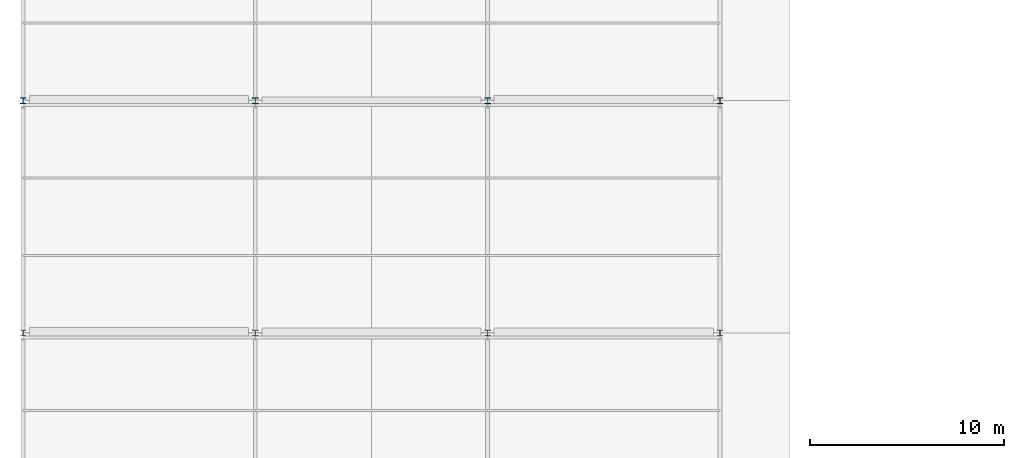
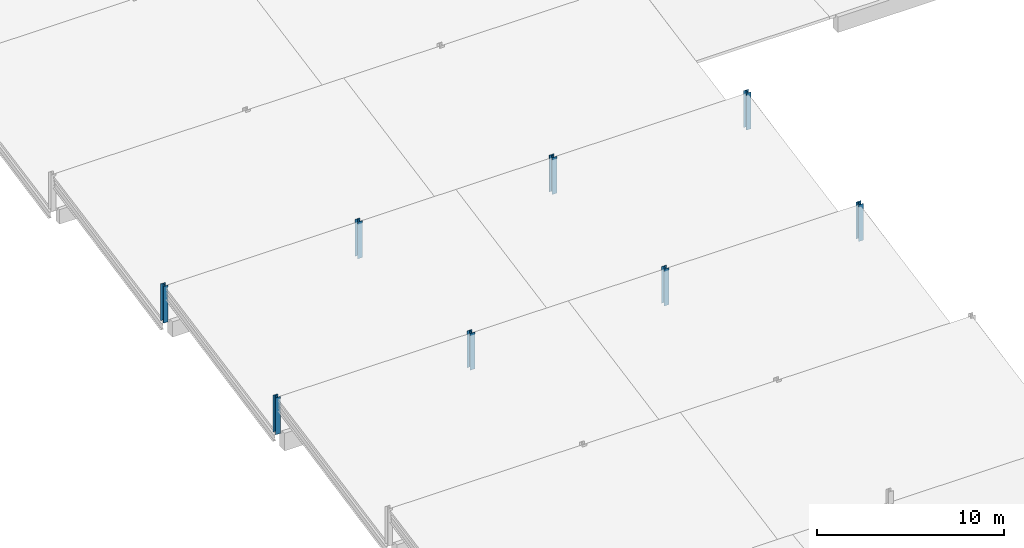
# One storey, part 2 of 23: 8 columns.
"""IFC4 building model written with IfcOpenShell, lengths in metres."""

import ifcopenshell
import ifcopenshell.guid

model = None  # the IFC model being written
_history = None  # IfcOwnerHistory: only IFC2X3 demands one
_inside = {}  # id of a spatial element -> (the spatial element, [elements in it])
_under = {}  # id of a project, library or spatial element -> (it, [spatial elements below it])
_declared = {}  # id of a project -> (the project, [libraries it declares])
_typed = {}  # id of a type object -> (the type object, [elements of that type])
_made_of = {}  # id of a material, layer set ... -> (it, [elements and type objects made of it])


def new_model(schema):
    """Start an empty IFC model of exactly this schema.

    Asked for "IFC4X3", IfcOpenShell would pick the latest addendum, in which some entities
    have other attributes; the version numbers below select the first issue.
    IFC2X3 requires an IfcOwnerHistory on every rooted entity: one is made here for all.
    """
    global model, _history
    if schema == "IFC4X3":
        model = ifcopenshell.file(schema_version=(4, 3, 0, 0))
    else:
        model = ifcopenshell.file(schema=schema)
    _inside.clear()
    _under.clear()
    _declared.clear()
    _typed.clear()
    _made_of.clear()
    _history = None
    if model.schema == "IFC2X3":
        org = make("IfcOrganization", Name="unknown")
        user = make(
            "IfcPersonAndOrganization",
            ThePerson=make("IfcPerson", FamilyName="unknown"),
            TheOrganization=org,
        )
        app = make(
            "IfcApplication",
            ApplicationDeveloper=org,
            Version="unknown",
            ApplicationFullName="unknown",
            ApplicationIdentifier="unknown",
        )
        _history = make(
            "IfcOwnerHistory",
            OwningUser=user,
            OwningApplication=app,
            ChangeAction="ADDED",
            CreationDate=0,
        )
    return model


def make(cls, **values):
    """One entity of the class cls with the attributes given. An attribute that is None is left unset."""
    return model.create_entity(
        cls, **{name: value for name, value in values.items() if value is not None}
    )


def rooted(cls, **values):
    """An entity with a GlobalId (a new one), such as an element, a storey or a relation."""
    return make(cls, GlobalId=ifcopenshell.guid.new(), OwnerHistory=_history, **values)


def si_unit(unit_type, name, prefix=None):
    """IfcSIUnit, for example si_unit("LENGTHUNIT", "METRE", prefix="MILLI")."""
    return make("IfcSIUnit", UnitType=unit_type, Prefix=prefix, Name=name)


def assignment(units):
    """IfcUnitAssignment: the units of a project."""
    return None if units is None else make("IfcUnitAssignment", Units=units)


def point(xyz):
    """IfcCartesianPoint."""
    return None if xyz is None else make("IfcCartesianPoint", Coordinates=xyz)


def direction(xyz):
    """IfcDirection."""
    return None if xyz is None else make("IfcDirection", DirectionRatios=xyz)


def frame(location, z_axis=None, x_axis=None):
    """IfcAxis2Placement3D, a coordinate frame: its origin and axes. An axis left out is left unset."""
    return make(
        "IfcAxis2Placement3D",
        Location=point(location),
        Axis=direction(z_axis),
        RefDirection=direction(x_axis),
    )


def frame_2d(location, x_axis=None):
    """IfcAxis2Placement2D, a coordinate frame in the plane: its origin and x axis."""
    return make(
        "IfcAxis2Placement2D", Location=point(location), RefDirection=direction(x_axis)
    )


def origin():
    """The frame at (0, 0, 0) with its axes left unset."""
    return frame((0.0, 0.0, 0.0))


def origin_2d():
    """The frame at (0, 0) in the plane with its x axis left unset."""
    return frame_2d((0.0, 0.0))


def place(relative_to, where):
    """IfcLocalPlacement: puts the frame where relative to a parent placement (None: the world)."""
    return make(
        "IfcLocalPlacement", PlacementRelTo=relative_to, RelativePlacement=where
    )


def context(
    kind, dimensions, precision=None, world=None, true_north=None, identifier=None
):
    """IfcGeometricRepresentationContext, for example the 3D "Model" context."""
    return make(
        "IfcGeometricRepresentationContext",
        ContextIdentifier=identifier,
        ContextType=kind,
        CoordinateSpaceDimension=dimensions,
        Precision=precision,
        WorldCoordinateSystem=world,
        TrueNorth=true_north,
    )


def subcontext(parent, identifier, kind, view, scale=None):
    """IfcGeometricRepresentationSubContext, for example "Body" below "Model"."""
    return make(
        "IfcGeometricRepresentationSubContext",
        ContextIdentifier=identifier,
        ContextType=kind,
        ParentContext=parent,
        TargetScale=scale,
        TargetView=view,
    )


def project(units=None, contexts=None):
    """IfcProject with its units and contexts."""
    return rooted(
        "IfcProject",
        Name="project",
        RepresentationContexts=contexts,
        UnitsInContext=assignment(units),
    )


def spatial(cls, under=None, at=None, **own):
    """A site, building, storey or space (cls), placed at a placement, below another one or the project."""
    s = rooted(cls, ObjectPlacement=at, **own)
    if under is not None:
        _under.setdefault(under.id(), (under, []))[1].append(s)
    return s


def profile(cls, at=None, kind="AREA", **sizes):
    """A parametric profile (cls). Its sizes go by their IFC names, for example OverallWidth=200.0."""
    return make(cls, ProfileType=kind, Position=at, **sizes)


def i_section(**sizes):
    """IfcIShapeProfileDef."""
    return profile("IfcIShapeProfileDef", **sizes)


def extrude(swept, where, along, depth):
    """IfcExtrudedAreaSolid: the profile swept, set in the frame where, extruded along a direction by depth."""
    return make(
        "IfcExtrudedAreaSolid",
        SweptArea=swept,
        Position=where,
        ExtrudedDirection=direction(along),
        Depth=depth,
    )


def shape(context_of_items, identifier, shape_type, items):
    """IfcShapeRepresentation: the items that make up one representation, for example the "Body"."""
    return make(
        "IfcShapeRepresentation",
        ContextOfItems=context_of_items,
        RepresentationIdentifier=identifier,
        RepresentationType=shape_type,
        Items=items,
    )


def material(Name=None, Category=None):
    """IfcMaterial."""
    return make("IfcMaterial", Name=Name, Category=Category)


def material_profile(
    of_material, cross_section, Name=None, Category=None, Priority=None
):
    """IfcMaterialProfile: a cross section and its material."""
    return make(
        "IfcMaterialProfile",
        Name=Name,
        Material=of_material,
        Profile=cross_section,
        Priority=Priority,
        Category=Category,
    )


def profile_set(profiles, Name=None, composite=None):
    """IfcMaterialProfileSet."""
    return make(
        "IfcMaterialProfileSet",
        Name=Name,
        MaterialProfiles=profiles,
        CompositeProfile=composite,
    )


def made_of(thing, what):
    """Note that an element or type object is made of a material, layer set ...; save() writes the relation."""
    if what is not None:
        _made_of.setdefault(what.id(), (what, []))[1].append(thing)
    return thing


def type_object(cls, material=None, **own):
    """A type object (cls), such as IfcWallType, which elements share."""
    return made_of(rooted(cls, **own), material)


def element(
    cls,
    number,
    at=None,
    inside=None,
    cuts=None,
    type_object=None,
    material=None,
    context=None,
    identifier="Body",
    shape_type=None,
    held_by="IfcProductDefinitionShape",
    body=None,
    shapes=None,
    **own,
):
    """One element of the class cls, such as IfcWall. Its Tag is "e" and its number.

    at: its placement. inside: the storey or other place that contains it. cuts: it is an
    opening in that element (IfcRelVoidsElement). A single representation is given by context,
    identifier, shape_type and body (its items); several are given by shapes. held_by: the class
    of the entity that holds the representations. save() writes the other relations.
    """
    e = rooted(cls, Tag="e%d" % number, ObjectPlacement=at, **own)
    if body is not None:
        shapes = [shape(context, identifier, shape_type, body)]
    if shapes is not None:
        e.Representation = make(held_by, Representations=shapes)
    if inside is not None:
        _inside.setdefault(inside.id(), (inside, []))[1].append(e)
    if cuts is not None:
        rooted(
            "IfcRelVoidsElement", RelatingBuildingElement=cuts, RelatedOpeningElement=e
        )
    if type_object is not None:
        _typed.setdefault(type_object.id(), (type_object, []))[1].append(e)
    return made_of(e, material)


def aggregate(whole, parts):
    """IfcRelAggregates: a whole, such as a stair, and the parts it consists of."""
    return rooted("IfcRelAggregates", RelatingObject=whole, RelatedObjects=parts)


def save(model, path):
    """Write the relations noted so far, then the file.

    IfcRelAggregates (storeys below a building ...), IfcRelContainedInSpatialStructure (elements
    in a storey), IfcRelDefinesByType, IfcRelAssociatesMaterial and IfcRelDeclares: one each for
    every whole, place, type object, material and project.
    """
    for whole, parts in _under.values():
        aggregate(whole, parts)
    for where, things in _inside.values():
        rooted(
            "IfcRelContainedInSpatialStructure",
            RelatedElements=things,
            RelatingStructure=where,
        )
    for kind, things in _typed.values():
        rooted("IfcRelDefinesByType", RelatedObjects=things, RelatingType=kind)
    for what, things in _made_of.values():
        rooted("IfcRelAssociatesMaterial", RelatedObjects=things, RelatingMaterial=what)
    for by, libraries in _declared.values():
        rooted("IfcRelDeclares", RelatingContext=by, RelatedDefinitions=libraries)
    model.write(path)


model = new_model("IFC4")

# Units and contexts
model_context = context("Model", 3, precision=1e-05, world=origin(), true_north=direction((0.0, 1.0)))
body_context = subcontext(model_context, "Body", "Model", "MODEL_VIEW")
ifc_project = project(units=[si_unit("LENGTHUNIT", "METRE"), si_unit("AREAUNIT", "SQUARE_METRE"), si_unit("VOLUMEUNIT", "CUBIC_METRE"), si_unit("PLANEANGLEUNIT", "RADIAN"), si_unit("MASSUNIT", "GRAM", prefix="KILO")], contexts=[model_context])

# Site, building, storey
site_placement = place(None, origin())
site = spatial("IfcSite", under=ifc_project, at=site_placement, CompositionType="ELEMENT")
building_placement = place(site_placement, origin())
building = spatial("IfcBuilding", under=site, at=building_placement, Name="Kamomehara Wholesale Market", CompositionType="ELEMENT")
storey_placement = place(building_placement, frame((0.0, 0.0, 21.0)))
storey = spatial("IfcBuildingStorey", under=building, at=storey_placement, Name="RF", CompositionType="ELEMENT", Elevation=21.0)

# Columns
ifc_material_1 = material(Name="Steel SN490B", Category="steel")
ifc_material_profile_1 = material_profile(ifc_material_1, i_section(OverallWidth=0.300048828125, OverallDepth=0.300048828125, WebThickness=0.010009765625, FlangeThickness=0.014892578125, FilletRadius=0.012939453125, at=origin_2d()), Name="H-300x300x10x15")
ifc_profile_set_1 = profile_set([ifc_material_profile_1], Name="Steel SN490B")
column_type_1 = type_object("IfcColumnType", Name="COL-ST-H300", PredefinedType="COLUMN", material=ifc_profile_set_1)
for number, where, z_axis, x_axis, name in (
    (1, (12.0, 84.0, -4.800048828125), (0.0, 0.0, 1.0), (1.0, 0.0, 0.0), "Column CS-03 RF"),
    (2, (24.0, 84.0, -4.800048828125), (0.0, 0.0, 1.0), (1.0, 0.0, 0.0), "Column CS-03 RF"),
):
    element("IfcColumn", number, at=place(storey_placement, frame(where, z_axis=z_axis, x_axis=x_axis)), inside=storey, type_object=column_type_1, Name=name, PredefinedType="COLUMN", context=body_context, shape_type="SweptSolid", body=[
        extrude(i_section(OverallWidth=0.300048828125, OverallDepth=0.300048828125, WebThickness=0.010009765625, FlangeThickness=0.014892578125, FilletRadius=0.012939453125, at=origin_2d()), origin(), (0.0, 0.0, 1.0), 2.400146484375),
    ])
ifc_material_2 = material(Name="Steel SN490B", Category="steel")
ifc_material_profile_2 = material_profile(ifc_material_2, i_section(OverallWidth=0.300048828125, OverallDepth=0.300048828125, WebThickness=0.010009765625, FlangeThickness=0.014892578125, FilletRadius=0.012939453125, at=origin_2d()), Name="H-300x300x10x15")
ifc_profile_set_2 = profile_set([ifc_material_profile_2], Name="Steel SN490B")
column_type_2 = type_object("IfcColumnType", Name="COL-ST-H300-EXT", PredefinedType="COLUMN", material=ifc_profile_set_2)
for number, where, z_axis, x_axis, name in (
    (3, (0.0, 84.0, -4.800048828125), (0.0, 0.0, 1.0), (1.0, 0.0, 0.0), "Column CS-03E RF"),
    (4, (0.0, 96.0, -4.800048828125), (0.0, 0.0, 1.0), (1.0, 0.0, 0.0), "Column CS-03E RF"),
    (5, (12.0, 96.0, -4.800048828125), (0.0, 0.0, 1.0), (1.0, 0.0, 0.0), "Column CS-03E RF"),
    (6, (24.0, 96.0, -4.800048828125), (0.0, 0.0, 1.0), (1.0, 0.0, 0.0), "Column CS-03E RF"),
    (7, (36.0, 84.0, -4.800048828125), (0.0, 0.0, 1.0), (1.0, 0.0, 0.0), "Column CS-03E RF"),
    (8, (36.0, 96.0, -4.800048828125), (0.0, 0.0, 1.0), (1.0, 0.0, 0.0), "Column CS-03E RF"),
):
    element("IfcColumn", number, at=place(storey_placement, frame(where, z_axis=z_axis, x_axis=x_axis)), inside=storey, type_object=column_type_2, Name=name, PredefinedType="COLUMN", context=body_context, shape_type="SweptSolid", body=[
        extrude(i_section(OverallWidth=0.300048828125, OverallDepth=0.300048828125, WebThickness=0.010009765625, FlangeThickness=0.014892578125, FilletRadius=0.012939453125, at=origin_2d()), origin(), (0.0, 0.0, 1.0), 2.400146484375),
    ])

save(model, "model.ifc")
